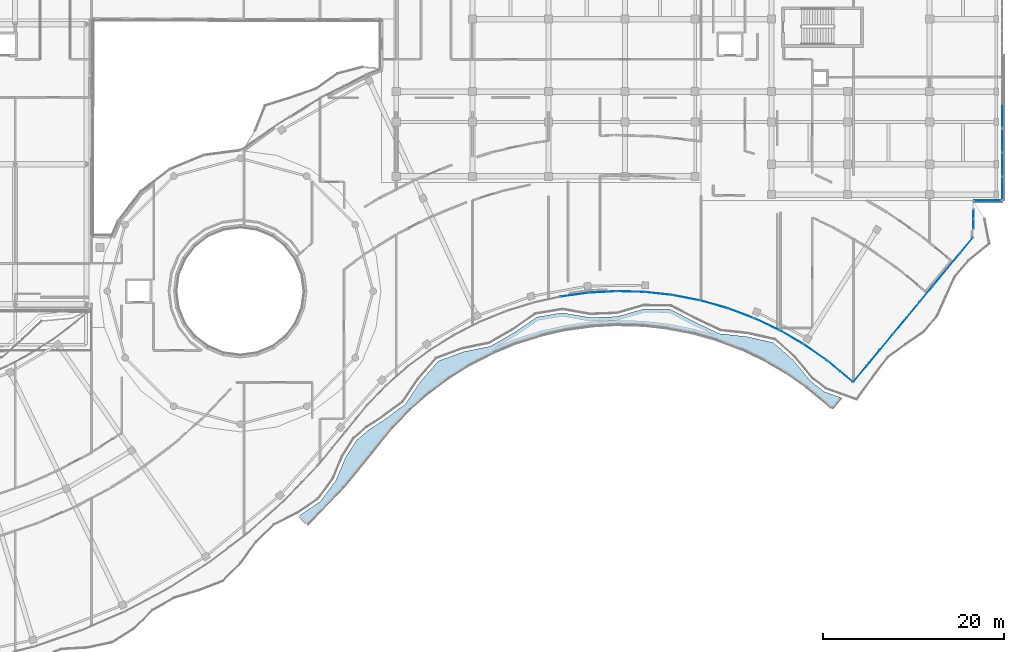
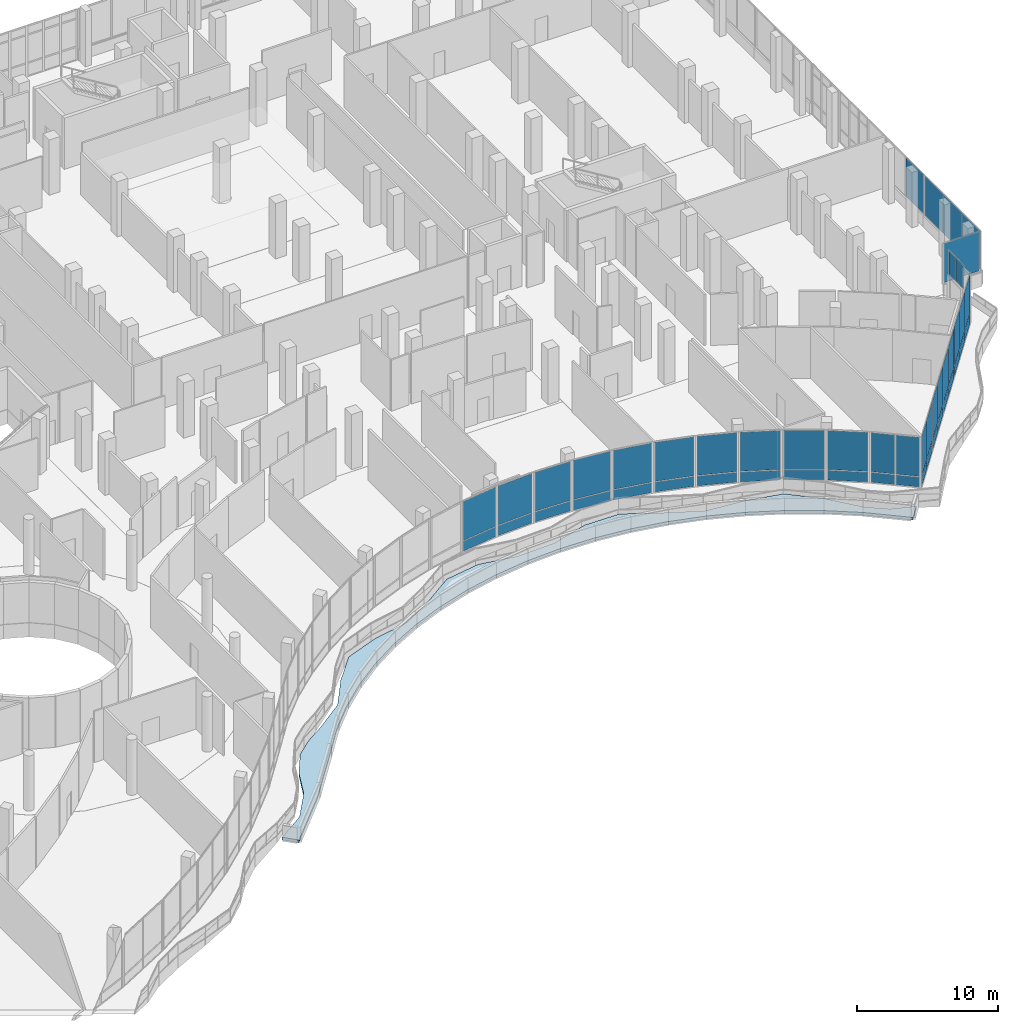
# One storey, part 136 of 168: 49 plates, 1 slab, 18 elements without a shape of their own.
"""IFC4 building model written with IfcOpenShell, lengths in metres."""

from ifc_helpers import new_model, si_unit, direction, frame, origin, origin_2d, place, context, subcontext, project, spatial, polyline, rectangle, outline, extrude, material, layer, layer_set, type_object, element, aggregate, save


model = new_model("IFC4")

# Units and contexts
model_context = context("Model", 3, precision=1e-05, world=origin(), true_north=direction((0.0, 1.0)))
body_context = subcontext(model_context, "Body", "Model", "MODEL_VIEW")
ifc_project = project(units=[si_unit("LENGTHUNIT", "METRE"), si_unit("AREAUNIT", "SQUARE_METRE"), si_unit("VOLUMEUNIT", "CUBIC_METRE"), si_unit("PLANEANGLEUNIT", "RADIAN"), si_unit("MASSUNIT", "GRAM", prefix="KILO")], contexts=[model_context])

# Site, building, storey
site_placement = place(None, origin())
site = spatial("IfcSite", under=ifc_project, at=site_placement, CompositionType="ELEMENT")
building_placement = place(site_placement, origin())
building = spatial("IfcBuilding", under=site, at=building_placement, Name="Selatvlak General Hospital", CompositionType="ELEMENT")
storey_placement = place(building_placement, frame((0.0, 0.0, 5.39990234375)))
storey = spatial("IfcBuildingStorey", under=building, at=storey_placement, Name="L01", CompositionType="ELEMENT", Elevation=5.39990234375)

# Curtain wall, plate
ifc_material_1 = material(Name="Solar-control Low-E double glazing", Category="glass")
curtain_wall_type_1 = type_object("IfcCurtainWallType", Name="CW-CW-02", PredefinedType="USERDEFINED", material=ifc_material_1)
curtain_wall_1_placement = place(storey_placement, origin())
curtain_wall_1 = element("IfcCurtainWall", 1, at=curtain_wall_1_placement, inside=storey, type_object=curtain_wall_type_1, Name="Glazed facade curtain wall CW-L01-0137", ObjectType="UNITISED CURTAIN WALL", PredefinedType="USERDEFINED")
ifc_layer_1 = layer(ifc_material_1, 0.028076171875, Name="Solar-control Low-E double glazing", Category="glass")
ifc_layer_set_1 = layer_set([ifc_layer_1], Name="Solar-control Low-E double glazing")
plate_type = type_object("IfcPlateType", Name="CWP-01", PredefinedType="CURTAIN_PANEL", material=ifc_layer_set_1)
plate_1_placement = place(storey_placement, frame((182.0, 73.360595703125, 1.005126953125), z_axis=(0.0, 0.0, 1.0), x_axis=(0.0, -1.0, 0.0)))
plate_1 = element("IfcPlate", 2, at=plate_1_placement, type_object=plate_type, Name="CW-02 panel 3.1", PredefinedType="CURTAIN_PANEL", context=body_context, shape_type="SweptSolid", body=[
    extrude(rectangle(XDim=2.55908203125, YDim=0.028076171875, at=origin_2d()), origin(), (0.0, 0.0, 1.0), 3.375),
])
aggregate(curtain_wall_1, [plate_1])

# Curtain wall, plates
curtain_wall_type_2 = type_object("IfcCurtainWallType", Name="CW-CW-01", PredefinedType="USERDEFINED", material=ifc_material_1)
curtain_wall_2_placement = place(storey_placement, origin())
curtain_wall_2 = element("IfcCurtainWall", 3, at=curtain_wall_2_placement, inside=storey, type_object=curtain_wall_type_2, Name="Glazed facade curtain wall CW-L01-0138", ObjectType="UNITISED CURTAIN WALL", PredefinedType="USERDEFINED")
plate_2_placement = place(storey_placement, frame((182.0, 70.599853515625, 1.005126953125), z_axis=(0.0, 0.0, 1.0), x_axis=(0.0, -1.0, 0.0)))
plate_2 = element("IfcPlate", 4, at=plate_2_placement, type_object=plate_type, Name="CW-01 panel 1.1", PredefinedType="CURTAIN_PANEL", context=body_context, shape_type="SweptSolid", body=[
    extrude(rectangle(XDim=2.54248046875, YDim=0.028076171875, at=origin_2d()), origin(), (0.0, 0.0, 1.0), 3.375),
])
plate_3_placement = place(storey_placement, frame((182.0, 67.97607421875, 1.005126953125), z_axis=(0.0, 0.0, 1.0), x_axis=(0.0, -1.0, 0.0)))
plate_3 = element("IfcPlate", 5, at=plate_3_placement, type_object=plate_type, Name="CW-01 panel 2.1", PredefinedType="CURTAIN_PANEL", context=body_context, shape_type="SweptSolid", body=[
    extrude(rectangle(XDim=2.574951171875, YDim=0.028076171875, at=origin_2d()), origin(), (0.0, 0.0, 1.0), 3.375),
])
plate_4_placement = place(storey_placement, frame((182.0, 65.352294921875, 1.005126953125), z_axis=(0.0, 0.0, 1.0), x_axis=(0.0, -1.0, 0.0)))
plate_4 = element("IfcPlate", 6, at=plate_4_placement, type_object=plate_type, Name="CW-01 panel 3.1", PredefinedType="CURTAIN_PANEL", context=body_context, shape_type="SweptSolid", body=[
    extrude(rectangle(XDim=2.54248046875, YDim=0.028076171875, at=origin_2d()), origin(), (0.0, 0.0, 1.0), 3.375),
])
aggregate(curtain_wall_2, [plate_2, plate_3, plate_4])

# Curtain wall, plate
curtain_wall_3_placement = place(storey_placement, origin())
curtain_wall_3 = element("IfcCurtainWall", 7, at=curtain_wall_3_placement, inside=storey, type_object=curtain_wall_type_2, Name="Glazed facade curtain wall CW-L01-0139", ObjectType="UNITISED CURTAIN WALL", PredefinedType="USERDEFINED")
plate_5_placement = place(storey_placement, frame((180.405029296875, 64.00048828125, 1.005126953125), z_axis=(0.0, 0.0, 1.0), x_axis=(-0.999999946602, -0.000326797363, 0.0)))
plate_5 = element("IfcPlate", 8, at=plate_5_placement, type_object=plate_type, Name="CW-01 panel 1.1", PredefinedType="CURTAIN_PANEL", context=body_context, shape_type="SweptSolid", body=[
    extrude(rectangle(XDim=2.929931640625, YDim=0.028076171875, at=origin_2d()), origin(), (0.0, 0.0, 1.0), 3.375),
])
aggregate(curtain_wall_3, [plate_5])

# Curtain wall, plates
curtain_wall_4_placement = place(storey_placement, origin())
curtain_wall_4 = element("IfcCurtainWall", 9, at=curtain_wall_4_placement, inside=storey, type_object=curtain_wall_type_1, Name="Glazed facade curtain wall CW-L01-0140", ObjectType="UNITISED CURTAIN WALL", PredefinedType="USERDEFINED")
plate_6_placement = place(storey_placement, frame((178.838134765625, 62.5263671875, 2.385009765625), z_axis=(0.0, 0.0, 1.0), x_axis=(-0.014976293782, -0.999887849023, 0.0)))
plate_6 = element("IfcPlate", 10, at=plate_6_placement, type_object=plate_type, Name="CW-02 panel 1.1", PredefinedType="CURTAIN_PANEL", context=body_context, shape_type="SweptSolid", body=[
    extrude(rectangle(XDim=1.03759765625, YDim=0.028076171875, at=origin_2d()), origin(), (0.0, 0.0, 1.0), 1.9951171875),
])
plate_7_placement = place(storey_placement, frame((178.82177734375, 61.423828125, 2.385009765625), z_axis=(0.0, 0.0, 1.0), x_axis=(-0.014976293782, -0.999887849023, 0.0)))
plate_7 = element("IfcPlate", 11, at=plate_7_placement, type_object=plate_type, Name="CW-02 panel 2.1", PredefinedType="CURTAIN_PANEL", context=body_context, shape_type="SweptSolid", body=[
    extrude(rectangle(XDim=1.03759765625, YDim=0.028076171875, at=origin_2d()), origin(), (0.0, 0.0, 1.0), 1.9951171875),
])
aggregate(curtain_wall_4, [plate_6, plate_7])

curtain_wall_5_placement = place(storey_placement, origin())
curtain_wall_5 = element("IfcCurtainWall", 12, at=curtain_wall_5_placement, inside=storey, type_object=curtain_wall_type_2, Name="Glazed facade curtain wall CW-L01-0141", ObjectType="UNITISED CURTAIN WALL", PredefinedType="USERDEFINED")
plate_8_placement = place(storey_placement, frame((178.047607421875, 59.041259765625, 0.065185546875), z_axis=(0.0, 0.0, 1.0), x_axis=(-0.637710339549, -0.770276263968, 0.0)))
plate_8 = element("IfcPlate", 13, at=plate_8_placement, type_object=plate_type, Name="CW-01 panel 1.1", PredefinedType="CURTAIN_PANEL", context=body_context, shape_type="SweptSolid", body=[
    extrude(rectangle(XDim=2.1982421875, YDim=0.028076171875, at=origin_2d()), origin(), (0.0, 0.0, 1.0), 0.8525390625),
])
plate_9_placement = place(storey_placement, frame((178.047607421875, 59.041259765625, 0.982666015625), z_axis=(0.0, 0.0, 1.0), x_axis=(-0.637710339549, -0.770276263968, 0.0)))
plate_9 = element("IfcPlate", 14, at=plate_9_placement, type_object=plate_type, Name="CW-01 panel 1.2", PredefinedType="CURTAIN_PANEL", context=body_context, shape_type="SweptSolid", body=[
    extrude(rectangle(XDim=2.1982421875, YDim=0.028076171875, at=origin_2d()), origin(), (0.0, 0.0, 1.0), 3.3974609375),
])
plate_10_placement = place(storey_placement, frame((176.593994140625, 57.285400390625, 0.065185546875), z_axis=(0.0, 0.0, 1.0), x_axis=(-0.637710339549, -0.770276263968, 0.0)))
plate_10 = element("IfcPlate", 15, at=plate_10_placement, type_object=plate_type, Name="CW-01 panel 2.1", PredefinedType="CURTAIN_PANEL", context=body_context, shape_type="SweptSolid", body=[
    extrude(rectangle(XDim=2.230712890625, YDim=0.028076171875, at=origin_2d()), origin(), (0.0, 0.0, 1.0), 0.8525390625),
])
plate_11_placement = place(storey_placement, frame((176.593994140625, 57.285400390625, 0.982666015625), z_axis=(0.0, 0.0, 1.0), x_axis=(-0.637710339549, -0.770276263968, 0.0)))
plate_11 = element("IfcPlate", 16, at=plate_11_placement, type_object=plate_type, Name="CW-01 panel 2.2", PredefinedType="CURTAIN_PANEL", context=body_context, shape_type="SweptSolid", body=[
    extrude(rectangle(XDim=2.230712890625, YDim=0.028076171875, at=origin_2d()), origin(), (0.0, 0.0, 1.0), 3.3974609375),
])
plate_12_placement = place(storey_placement, frame((175.140380859375, 55.52978515625, 0.065185546875), z_axis=(0.0, 0.0, 1.0), x_axis=(-0.637710339549, -0.770276263968, 0.0)))
plate_12 = element("IfcPlate", 17, at=plate_12_placement, type_object=plate_type, Name="CW-01 panel 3.1", PredefinedType="CURTAIN_PANEL", context=body_context, shape_type="SweptSolid", body=[
    extrude(rectangle(XDim=2.1982421875, YDim=0.028076171875, at=origin_2d()), origin(), (0.0, 0.0, 1.0), 0.8525390625),
])
plate_13_placement = place(storey_placement, frame((175.140380859375, 55.52978515625, 0.982666015625), z_axis=(0.0, 0.0, 1.0), x_axis=(-0.637710339549, -0.770276263968, 0.0)))
plate_13 = element("IfcPlate", 18, at=plate_13_placement, type_object=plate_type, Name="CW-01 panel 3.2", PredefinedType="CURTAIN_PANEL", context=body_context, shape_type="SweptSolid", body=[
    extrude(rectangle(XDim=2.1982421875, YDim=0.028076171875, at=origin_2d()), origin(), (0.0, 0.0, 1.0), 3.3974609375),
])
aggregate(curtain_wall_5, [plate_8, plate_9, plate_10, plate_11, plate_12, plate_13])

curtain_wall_6_placement = place(storey_placement, origin())
curtain_wall_6 = element("IfcCurtainWall", 19, at=curtain_wall_6_placement, inside=storey, type_object=curtain_wall_type_1, Name="Glazed facade curtain wall CW-L01-0142", ObjectType="UNITISED CURTAIN WALL", PredefinedType="USERDEFINED")
plate_14_placement = place(storey_placement, frame((173.60888671875, 53.679931640625, 0.065185546875), z_axis=(0.0, 0.0, 1.0), x_axis=(-0.637822104712, -0.770183720122, 0.0)))
plate_14 = element("IfcPlate", 20, at=plate_14_placement, type_object=plate_type, Name="CW-02 panel 1.1", PredefinedType="CURTAIN_PANEL", context=body_context, shape_type="SweptSolid", body=[
    extrude(rectangle(XDim=2.181640625, YDim=0.028076171875, at=origin_2d()), origin(), (0.0, 0.0, 1.0), 0.8525390625),
])
plate_15_placement = place(storey_placement, frame((173.60888671875, 53.679931640625, 0.982666015625), z_axis=(0.0, 0.0, 1.0), x_axis=(-0.637822104712, -0.770183720122, 0.0)))
plate_15 = element("IfcPlate", 21, at=plate_15_placement, type_object=plate_type, Name="CW-02 panel 1.2", PredefinedType="CURTAIN_PANEL", context=body_context, shape_type="SweptSolid", body=[
    extrude(rectangle(XDim=2.181640625, YDim=0.028076171875, at=origin_2d()), origin(), (0.0, 0.0, 1.0), 3.3974609375),
])
plate_16_placement = place(storey_placement, frame((172.16552734375, 51.93701171875, 0.065185546875), z_axis=(0.0, 0.0, 1.0), x_axis=(-0.637822104712, -0.770183720122, 0.0)))
plate_16 = element("IfcPlate", 22, at=plate_16_placement, type_object=plate_type, Name="CW-02 panel 2.1", PredefinedType="CURTAIN_PANEL", context=body_context, shape_type="SweptSolid", body=[
    extrude(rectangle(XDim=2.214111328125, YDim=0.028076171875, at=origin_2d()), origin(), (0.0, 0.0, 1.0), 0.8525390625),
])
plate_17_placement = place(storey_placement, frame((172.16552734375, 51.93701171875, 0.982666015625), z_axis=(0.0, 0.0, 1.0), x_axis=(-0.637822104712, -0.770183720122, 0.0)))
plate_17 = element("IfcPlate", 23, at=plate_17_placement, type_object=plate_type, Name="CW-02 panel 2.2", PredefinedType="CURTAIN_PANEL", context=body_context, shape_type="SweptSolid", body=[
    extrude(rectangle(XDim=2.214111328125, YDim=0.028076171875, at=origin_2d()), origin(), (0.0, 0.0, 1.0), 3.3974609375),
])
plate_18_placement = place(storey_placement, frame((170.72216796875, 50.194091796875, 0.065185546875), z_axis=(0.0, 0.0, 1.0), x_axis=(-0.637822104712, -0.770183720122, 0.0)))
plate_18 = element("IfcPlate", 24, at=plate_18_placement, type_object=plate_type, Name="CW-02 panel 3.1", PredefinedType="CURTAIN_PANEL", context=body_context, shape_type="SweptSolid", body=[
    extrude(rectangle(XDim=2.181640625, YDim=0.028076171875, at=origin_2d()), origin(), (0.0, 0.0, 1.0), 0.8525390625),
])
plate_19_placement = place(storey_placement, frame((170.72216796875, 50.194091796875, 0.982666015625), z_axis=(0.0, 0.0, 1.0), x_axis=(-0.637822104712, -0.770183720122, 0.0)))
plate_19 = element("IfcPlate", 25, at=plate_19_placement, type_object=plate_type, Name="CW-02 panel 3.2", PredefinedType="CURTAIN_PANEL", context=body_context, shape_type="SweptSolid", body=[
    extrude(rectangle(XDim=2.181640625, YDim=0.028076171875, at=origin_2d()), origin(), (0.0, 0.0, 1.0), 3.3974609375),
])
aggregate(curtain_wall_6, [plate_14, plate_15, plate_16, plate_17, plate_18, plate_19])

curtain_wall_7_placement = place(storey_placement, origin())
curtain_wall_7 = element("IfcCurtainWall", 26, at=curtain_wall_7_placement, inside=storey, type_object=curtain_wall_type_2, Name="Glazed facade curtain wall CW-L01-0143", ObjectType="UNITISED CURTAIN WALL", PredefinedType="USERDEFINED")
plate_20_placement = place(storey_placement, frame((169.196044921875, 48.350830078125, 0.065185546875), z_axis=(0.0, 0.0, 1.0), x_axis=(-0.637735336049, -0.770255568727, 0.0)))
plate_20 = element("IfcPlate", 27, at=plate_20_placement, type_object=plate_type, Name="CW-01 panel 1.1", PredefinedType="CURTAIN_PANEL", context=body_context, shape_type="SweptSolid", body=[
    extrude(rectangle(XDim=2.181396484375, YDim=0.028076171875, at=origin_2d()), origin(), (0.0, 0.0, 1.0), 0.8525390625),
])
plate_21_placement = place(storey_placement, frame((169.196044921875, 48.350830078125, 0.982666015625), z_axis=(0.0, 0.0, 1.0), x_axis=(-0.637735336049, -0.770255568727, 0.0)))
plate_21 = element("IfcPlate", 28, at=plate_21_placement, type_object=plate_type, Name="CW-01 panel 1.2", PredefinedType="CURTAIN_PANEL", context=body_context, shape_type="SweptSolid", body=[
    extrude(rectangle(XDim=2.181396484375, YDim=0.028076171875, at=origin_2d()), origin(), (0.0, 0.0, 1.0), 3.3974609375),
])
plate_22_placement = place(storey_placement, frame((167.7529296875, 46.60791015625, 0.065185546875), z_axis=(0.0, 0.0, 1.0), x_axis=(-0.637735336049, -0.770255568727, 0.0)))
plate_22 = element("IfcPlate", 29, at=plate_22_placement, type_object=plate_type, Name="CW-01 panel 2.1", PredefinedType="CURTAIN_PANEL", context=body_context, shape_type="SweptSolid", body=[
    extrude(rectangle(XDim=2.2138671875, YDim=0.028076171875, at=origin_2d()), origin(), (0.0, 0.0, 1.0), 0.8525390625),
])
plate_23_placement = place(storey_placement, frame((167.7529296875, 46.60791015625, 0.982666015625), z_axis=(0.0, 0.0, 1.0), x_axis=(-0.637735336049, -0.770255568727, 0.0)))
plate_23 = element("IfcPlate", 30, at=plate_23_placement, type_object=plate_type, Name="CW-01 panel 2.2", PredefinedType="CURTAIN_PANEL", context=body_context, shape_type="SweptSolid", body=[
    extrude(rectangle(XDim=2.2138671875, YDim=0.028076171875, at=origin_2d()), origin(), (0.0, 0.0, 1.0), 3.3974609375),
])
plate_24_placement = place(storey_placement, frame((166.31005859375, 44.865234375, 0.065185546875), z_axis=(0.0, 0.0, 1.0), x_axis=(-0.637735336049, -0.770255568727, 0.0)))
plate_24 = element("IfcPlate", 31, at=plate_24_placement, type_object=plate_type, Name="CW-01 panel 3.1", PredefinedType="CURTAIN_PANEL", context=body_context, shape_type="SweptSolid", body=[
    extrude(rectangle(XDim=2.181396484375, YDim=0.028076171875, at=origin_2d()), origin(), (0.0, 0.0, 1.0), 0.8525390625),
])
plate_25_placement = place(storey_placement, frame((166.31005859375, 44.865234375, 0.982666015625), z_axis=(0.0, 0.0, 1.0), x_axis=(-0.637735336049, -0.770255568727, 0.0)))
plate_25 = element("IfcPlate", 32, at=plate_25_placement, type_object=plate_type, Name="CW-01 panel 3.2", PredefinedType="CURTAIN_PANEL", context=body_context, shape_type="SweptSolid", body=[
    extrude(rectangle(XDim=2.181396484375, YDim=0.028076171875, at=origin_2d()), origin(), (0.0, 0.0, 1.0), 3.3974609375),
])
aggregate(curtain_wall_7, [plate_20, plate_21, plate_22, plate_23, plate_24, plate_25])

curtain_wall_8_placement = place(storey_placement, origin())
curtain_wall_8 = element("IfcCurtainWall", 33, at=curtain_wall_8_placement, inside=storey, type_object=curtain_wall_type_1, Name="Glazed facade curtain wall CW-L01-0144", ObjectType="UNITISED CURTAIN WALL", PredefinedType="USERDEFINED")
plate_26_placement = place(storey_placement, frame((164.799560546875, 44.599365234375, 0.065185546875), z_axis=(0.0, 0.0, 1.0), x_axis=(-0.768311109864, 0.640076587964, 0.0)))
plate_26 = element("IfcPlate", 34, at=plate_26_placement, type_object=plate_type, Name="CW-02 panel 1.1", PredefinedType="CURTAIN_PANEL", context=body_context, shape_type="SweptSolid", body=[
    extrude(rectangle(XDim=1.727294921875, YDim=0.028076171875, at=origin_2d()), origin(), (0.0, 0.0, 1.0), 0.8525390625),
])
plate_27_placement = place(storey_placement, frame((164.799560546875, 44.599365234375, 0.982666015625), z_axis=(0.0, 0.0, 1.0), x_axis=(-0.768311109864, 0.640076587964, 0.0)))
plate_27 = element("IfcPlate", 35, at=plate_27_placement, type_object=plate_type, Name="CW-02 panel 1.2", PredefinedType="CURTAIN_PANEL", context=body_context, shape_type="SweptSolid", body=[
    extrude(rectangle(XDim=1.727294921875, YDim=0.028076171875, at=origin_2d()), origin(), (0.0, 0.0, 1.0), 3.3974609375),
])
plate_28_placement = place(storey_placement, frame((163.42236328125, 45.74658203125, 0.065185546875), z_axis=(0.0, 0.0, 1.0), x_axis=(-0.768311109864, 0.640076587964, 0.0)))
plate_28 = element("IfcPlate", 36, at=plate_28_placement, type_object=plate_type, Name="CW-02 panel 2.1", PredefinedType="CURTAIN_PANEL", context=body_context, shape_type="SweptSolid", body=[
    extrude(rectangle(XDim=1.727294921875, YDim=0.028076171875, at=origin_2d()), origin(), (0.0, 0.0, 1.0), 0.8525390625),
])
plate_29_placement = place(storey_placement, frame((163.42236328125, 45.74658203125, 0.982666015625), z_axis=(0.0, 0.0, 1.0), x_axis=(-0.768311109864, 0.640076587964, 0.0)))
plate_29 = element("IfcPlate", 37, at=plate_29_placement, type_object=plate_type, Name="CW-02 panel 2.2", PredefinedType="CURTAIN_PANEL", context=body_context, shape_type="SweptSolid", body=[
    extrude(rectangle(XDim=1.727294921875, YDim=0.028076171875, at=origin_2d()), origin(), (0.0, 0.0, 1.0), 3.3974609375),
])
aggregate(curtain_wall_8, [plate_26, plate_27, plate_28, plate_29])

curtain_wall_9_placement = place(storey_placement, origin())
curtain_wall_9 = element("IfcCurtainWall", 38, at=curtain_wall_9_placement, inside=storey, type_object=curtain_wall_type_2, Name="Glazed facade curtain wall CW-L01-0145", ObjectType="UNITISED CURTAIN WALL", PredefinedType="USERDEFINED")
plate_30_placement = place(storey_placement, frame((161.39990234375, 47.2548828125, 0.065185546875), z_axis=(0.0, 0.0, 1.0), x_axis=(-0.82071690008, 0.571335076749, 0.0)))
plate_30 = element("IfcPlate", 39, at=plate_30_placement, type_object=plate_type, Name="CW-01 panel 1.1", PredefinedType="CURTAIN_PANEL", context=body_context, shape_type="SweptSolid", body=[
    extrude(rectangle(XDim=2.901611328125, YDim=0.028076171875, at=origin_2d()), origin(), (0.0, 0.0, 1.0), 0.8525390625),
])
plate_31_placement = place(storey_placement, frame((161.39990234375, 47.2548828125, 0.982666015625), z_axis=(0.0, 0.0, 1.0), x_axis=(-0.82071690008, 0.571335076749, 0.0)))
plate_31 = element("IfcPlate", 40, at=plate_31_placement, type_object=plate_type, Name="CW-01 panel 1.2", PredefinedType="CURTAIN_PANEL", context=body_context, shape_type="SweptSolid", body=[
    extrude(rectangle(XDim=2.901611328125, YDim=0.028076171875, at=origin_2d()), origin(), (0.0, 0.0, 1.0), 3.3974609375),
])
aggregate(curtain_wall_9, [plate_30, plate_31])

curtain_wall_10_placement = place(storey_placement, origin())
curtain_wall_10 = element("IfcCurtainWall", 41, at=curtain_wall_10_placement, inside=storey, type_object=curtain_wall_type_1, Name="Glazed facade curtain wall CW-L01-0146", ObjectType="UNITISED CURTAIN WALL", PredefinedType="USERDEFINED")
plate_32_placement = place(storey_placement, frame((158.77587890625, 48.923583984375, 0.065185546875), z_axis=(0.0, 0.0, 1.0), x_axis=(-0.865162807212, 0.501491093657, 0.0)))
plate_32 = element("IfcPlate", 42, at=plate_32_placement, type_object=plate_type, Name="CW-02 panel 1.1", PredefinedType="CURTAIN_PANEL", context=body_context, shape_type="SweptSolid", body=[
    extrude(rectangle(XDim=2.903076171875, YDim=0.028076171875, at=origin_2d()), origin(), (0.0, 0.0, 1.0), 0.8525390625),
])
plate_33_placement = place(storey_placement, frame((158.77587890625, 48.923583984375, 0.982666015625), z_axis=(0.0, 0.0, 1.0), x_axis=(-0.865162807212, 0.501491093657, 0.0)))
plate_33 = element("IfcPlate", 43, at=plate_33_placement, type_object=plate_type, Name="CW-02 panel 1.2", PredefinedType="CURTAIN_PANEL", context=body_context, shape_type="SweptSolid", body=[
    extrude(rectangle(XDim=2.903076171875, YDim=0.028076171875, at=origin_2d()), origin(), (0.0, 0.0, 1.0), 3.3974609375),
])
aggregate(curtain_wall_10, [plate_32, plate_33])

curtain_wall_11_placement = place(storey_placement, origin())
curtain_wall_11 = element("IfcCurtainWall", 44, at=curtain_wall_11_placement, inside=storey, type_object=curtain_wall_type_2, Name="Glazed facade curtain wall CW-L01-0147", ObjectType="UNITISED CURTAIN WALL", PredefinedType="USERDEFINED")
plate_34_placement = place(storey_placement, frame((156.021484375, 50.368896484375, 0.065185546875), z_axis=(0.0, 0.0, 1.0), x_axis=(-0.903529659343, 0.428525558966, 0.0)))
plate_34 = element("IfcPlate", 45, at=plate_34_placement, type_object=plate_type, Name="CW-01 panel 1.1", PredefinedType="CURTAIN_PANEL", context=body_context, shape_type="SweptSolid", body=[
    extrude(rectangle(XDim=2.903564453125, YDim=0.028076171875, at=origin_2d()), origin(), (0.0, 0.0, 1.0), 0.8525390625),
])
plate_35_placement = place(storey_placement, frame((156.021484375, 50.368896484375, 0.982666015625), z_axis=(0.0, 0.0, 1.0), x_axis=(-0.903529659343, 0.428525558966, 0.0)))
plate_35 = element("IfcPlate", 46, at=plate_35_placement, type_object=plate_type, Name="CW-01 panel 1.2", PredefinedType="CURTAIN_PANEL", context=body_context, shape_type="SweptSolid", body=[
    extrude(rectangle(XDim=2.903564453125, YDim=0.028076171875, at=origin_2d()), origin(), (0.0, 0.0, 1.0), 3.3974609375),
])
aggregate(curtain_wall_11, [plate_34, plate_35])

curtain_wall_12_placement = place(storey_placement, origin())
curtain_wall_12 = element("IfcCurtainWall", 47, at=curtain_wall_12_placement, inside=storey, type_object=curtain_wall_type_1, Name="Glazed facade curtain wall CW-L01-0148", ObjectType="UNITISED CURTAIN WALL", PredefinedType="USERDEFINED")
plate_36_placement = place(storey_placement, frame((153.157470703125, 51.58154296875, 0.065185546875), z_axis=(0.0, 0.0, 1.0), x_axis=(-0.935989779927, 0.352027174905, 0.0)))
plate_36 = element("IfcPlate", 48, at=plate_36_placement, type_object=plate_type, Name="CW-02 panel 1.1", PredefinedType="CURTAIN_PANEL", context=body_context, shape_type="SweptSolid", body=[
    extrude(rectangle(XDim=2.901123046875, YDim=0.028076171875, at=origin_2d()), origin(), (0.0, 0.0, 1.0), 0.8525390625),
])
plate_37_placement = place(storey_placement, frame((153.157470703125, 51.58154296875, 0.982666015625), z_axis=(0.0, 0.0, 1.0), x_axis=(-0.935989779927, 0.352027174905, 0.0)))
plate_37 = element("IfcPlate", 49, at=plate_37_placement, type_object=plate_type, Name="CW-02 panel 1.2", PredefinedType="CURTAIN_PANEL", context=body_context, shape_type="SweptSolid", body=[
    extrude(rectangle(XDim=2.901123046875, YDim=0.028076171875, at=origin_2d()), origin(), (0.0, 0.0, 1.0), 3.3974609375),
])
aggregate(curtain_wall_12, [plate_36, plate_37])

curtain_wall_13_placement = place(storey_placement, origin())
curtain_wall_13 = element("IfcCurtainWall", 50, at=curtain_wall_13_placement, inside=storey, type_object=curtain_wall_type_2, Name="Glazed facade curtain wall CW-L01-0149", ObjectType="UNITISED CURTAIN WALL", PredefinedType="USERDEFINED")
plate_38_placement = place(storey_placement, frame((150.205078125, 52.551513671875, 0.065185546875), z_axis=(0.0, 0.0, 1.0), x_axis=(-0.962057469853, 0.272846888748, 0.0)))
plate_38 = element("IfcPlate", 51, at=plate_38_placement, type_object=plate_type, Name="CW-01 panel 1.1", PredefinedType="CURTAIN_PANEL", context=body_context, shape_type="SweptSolid", body=[
    extrude(rectangle(XDim=2.901123046875, YDim=0.028076171875, at=origin_2d()), origin(), (0.0, 0.0, 1.0), 0.8525390625),
])
plate_39_placement = place(storey_placement, frame((150.205078125, 52.551513671875, 0.982666015625), z_axis=(0.0, 0.0, 1.0), x_axis=(-0.962057469853, 0.272846888748, 0.0)))
plate_39 = element("IfcPlate", 52, at=plate_39_placement, type_object=plate_type, Name="CW-01 panel 1.2", PredefinedType="CURTAIN_PANEL", context=body_context, shape_type="SweptSolid", body=[
    extrude(rectangle(XDim=2.901123046875, YDim=0.028076171875, at=origin_2d()), origin(), (0.0, 0.0, 1.0), 3.3974609375),
])
aggregate(curtain_wall_13, [plate_38, plate_39])

curtain_wall_14_placement = place(storey_placement, origin())
curtain_wall_14 = element("IfcCurtainWall", 53, at=curtain_wall_14_placement, inside=storey, type_object=curtain_wall_type_1, Name="Glazed facade curtain wall CW-L01-0150", ObjectType="UNITISED CURTAIN WALL", PredefinedType="USERDEFINED")
plate_40_placement = place(storey_placement, frame((147.180908203125, 53.2734375, 0.065185546875), z_axis=(0.0, 0.0, 1.0), x_axis=(-0.981346698428, 0.192246345827, 0.0)))
plate_40 = element("IfcPlate", 54, at=plate_40_placement, type_object=plate_type, Name="CW-02 panel 1.1", PredefinedType="CURTAIN_PANEL", context=body_context, shape_type="SweptSolid", body=[
    extrude(rectangle(XDim=2.902587890625, YDim=0.028076171875, at=origin_2d()), origin(), (0.0, 0.0, 1.0), 0.8525390625),
])
plate_41_placement = place(storey_placement, frame((147.180908203125, 53.2734375, 0.982666015625), z_axis=(0.0, 0.0, 1.0), x_axis=(-0.981346698428, 0.192246345827, 0.0)))
plate_41 = element("IfcPlate", 55, at=plate_41_placement, type_object=plate_type, Name="CW-02 panel 1.2", PredefinedType="CURTAIN_PANEL", context=body_context, shape_type="SweptSolid", body=[
    extrude(rectangle(XDim=2.902587890625, YDim=0.028076171875, at=origin_2d()), origin(), (0.0, 0.0, 1.0), 3.3974609375),
])
aggregate(curtain_wall_14, [plate_40, plate_41])

curtain_wall_15_placement = place(storey_placement, origin())
curtain_wall_15 = element("IfcCurtainWall", 56, at=curtain_wall_15_placement, inside=storey, type_object=curtain_wall_type_2, Name="Glazed facade curtain wall CW-L01-0151", ObjectType="UNITISED CURTAIN WALL", PredefinedType="USERDEFINED")
plate_42_placement = place(storey_placement, frame((144.10546875, 53.742431640625, 0.065185546875), z_axis=(0.0, 0.0, 1.0), x_axis=(-0.993955887919, 0.109780202548, 0.0)))
plate_42 = element("IfcPlate", 57, at=plate_42_placement, type_object=plate_type, Name="CW-01 panel 1.1", PredefinedType="CURTAIN_PANEL", context=body_context, shape_type="SweptSolid", body=[
    extrude(rectangle(XDim=2.9033203125, YDim=0.028076171875, at=origin_2d()), origin(), (0.0, 0.0, 1.0), 0.8525390625),
])
plate_43_placement = place(storey_placement, frame((144.10546875, 53.742431640625, 0.982666015625), z_axis=(0.0, 0.0, 1.0), x_axis=(-0.993955887919, 0.109780202548, 0.0)))
plate_43 = element("IfcPlate", 58, at=plate_43_placement, type_object=plate_type, Name="CW-01 panel 1.2", PredefinedType="CURTAIN_PANEL", context=body_context, shape_type="SweptSolid", body=[
    extrude(rectangle(XDim=2.9033203125, YDim=0.028076171875, at=origin_2d()), origin(), (0.0, 0.0, 1.0), 3.3974609375),
])
aggregate(curtain_wall_15, [plate_42, plate_43])

curtain_wall_16_placement = place(storey_placement, origin())
curtain_wall_16 = element("IfcCurtainWall", 59, at=curtain_wall_16_placement, inside=storey, type_object=curtain_wall_type_1, Name="Glazed facade curtain wall CW-L01-0152", ObjectType="UNITISED CURTAIN WALL", PredefinedType="USERDEFINED")
plate_44_placement = place(storey_placement, frame((141.001953125, 53.9541015625, 0.065185546875), z_axis=(0.0, 0.0, 1.0), x_axis=(-0.999616451519, 0.027693859483, 0.0)))
plate_44 = element("IfcPlate", 60, at=plate_44_placement, type_object=plate_type, Name="CW-02 panel 1.1", PredefinedType="CURTAIN_PANEL", context=body_context, shape_type="SweptSolid", body=[
    extrude(rectangle(XDim=2.903076171875, YDim=0.028076171875, at=origin_2d()), origin(), (0.0, 0.0, 1.0), 0.8525390625),
])
plate_45_placement = place(storey_placement, frame((141.001953125, 53.9541015625, 0.982666015625), z_axis=(0.0, 0.0, 1.0), x_axis=(-0.999616451519, 0.027693859483, 0.0)))
plate_45 = element("IfcPlate", 61, at=plate_45_placement, type_object=plate_type, Name="CW-02 panel 1.2", PredefinedType="CURTAIN_PANEL", context=body_context, shape_type="SweptSolid", body=[
    extrude(rectangle(XDim=2.903076171875, YDim=0.028076171875, at=origin_2d()), origin(), (0.0, 0.0, 1.0), 3.3974609375),
])
aggregate(curtain_wall_16, [plate_44, plate_45])

curtain_wall_17_placement = place(storey_placement, origin())
curtain_wall_17 = element("IfcCurtainWall", 62, at=curtain_wall_17_placement, inside=storey, type_object=curtain_wall_type_2, Name="Glazed facade curtain wall CW-L01-0153", ObjectType="UNITISED CURTAIN WALL", PredefinedType="USERDEFINED")
plate_46_placement = place(storey_placement, frame((137.89453125, 53.908447265625, 0.065185546875), z_axis=(0.0, 0.0, 1.0), x_axis=(-0.998477581672, -0.055159032792, 0.0)))
plate_46 = element("IfcPlate", 63, at=plate_46_placement, type_object=plate_type, Name="CW-01 panel 1.1", PredefinedType="CURTAIN_PANEL", context=body_context, shape_type="SweptSolid", body=[
    extrude(rectangle(XDim=2.897705078125, YDim=0.028076171875, at=origin_2d()), origin(), (0.0, 0.0, 1.0), 0.8525390625),
])
plate_47_placement = place(storey_placement, frame((137.89453125, 53.908447265625, 0.982666015625), z_axis=(0.0, 0.0, 1.0), x_axis=(-0.998477581672, -0.055159032792, 0.0)))
plate_47 = element("IfcPlate", 64, at=plate_47_placement, type_object=plate_type, Name="CW-01 panel 1.2", PredefinedType="CURTAIN_PANEL", context=body_context, shape_type="SweptSolid", body=[
    extrude(rectangle(XDim=2.897705078125, YDim=0.028076171875, at=origin_2d()), origin(), (0.0, 0.0, 1.0), 3.3974609375),
])
aggregate(curtain_wall_17, [plate_46, plate_47])

curtain_wall_18_placement = place(storey_placement, origin())
curtain_wall_18 = element("IfcCurtainWall", 65, at=curtain_wall_18_placement, inside=storey, type_object=curtain_wall_type_1, Name="Glazed facade curtain wall CW-L01-0154", ObjectType="UNITISED CURTAIN WALL", PredefinedType="USERDEFINED")
plate_48_placement = place(storey_placement, frame((134.800537109375, 53.60498046875, 0.065185546875), z_axis=(0.0, 0.0, 1.0), x_axis=(-0.990373398315, -0.138421573138, 0.0)))
plate_48 = element("IfcPlate", 66, at=plate_48_placement, type_object=plate_type, Name="CW-02 panel 1.1", PredefinedType="CURTAIN_PANEL", context=body_context, shape_type="SweptSolid", body=[
    extrude(rectangle(XDim=2.904296875, YDim=0.028076171875, at=origin_2d()), origin(), (0.0, 0.0, 1.0), 0.8525390625),
])
plate_49_placement = place(storey_placement, frame((134.800537109375, 53.60498046875, 0.982666015625), z_axis=(0.0, 0.0, 1.0), x_axis=(-0.990373398315, -0.138421573138, 0.0)))
plate_49 = element("IfcPlate", 67, at=plate_49_placement, type_object=plate_type, Name="CW-02 panel 1.2", PredefinedType="CURTAIN_PANEL", context=body_context, shape_type="SweptSolid", body=[
    extrude(rectangle(XDim=2.904296875, YDim=0.028076171875, at=origin_2d()), origin(), (0.0, 0.0, 1.0), 3.3974609375),
])
aggregate(curtain_wall_18, [plate_48, plate_49])

# Slab
ifc_material_2 = material(Name="Concrete C40/50", Category="concrete")
ifc_layer_2 = layer(ifc_material_2, 0.239990234375, Name="Concrete C40/50", Category="concrete")
ifc_layer_set_2 = layer_set([ifc_layer_2], Name="Concrete C40/50")
slab_type = type_object("IfcSlabType", Name="SLAB-SL-RF1", PredefinedType="ROOF", material=ifc_layer_set_2)
slab_placement = place(storey_placement, frame((0.0, 0.0, -0.31982421875)))
element("IfcSlab", 68, at=slab_placement, inside=storey, type_object=slab_type, Name="L01 roof slab ROOF-COLONNADE-GARDEN", PredefinedType="ROOF", context=body_context, shape_type="SweptSolid", body=[
    extrude(outline(polyline([(160.51708984375, 43.487060546875), (158.2080078125, 45.093994140625), (155.77294921875, 46.507080078125), (153.22998046875, 47.7119140625), (150.597900390625, 48.700927734375), (147.89306640625, 49.468994140625), (145.131103515625, 50.009033203125), (142.3330078125, 50.319091796875), (139.52001953125, 50.39697265625), (136.714111328125, 50.240966796875), (133.926025390625, 49.85107421875), (131.179931640625, 49.23291015625), (128.4990234375, 48.389892578125), (125.89501953125, 47.325927734375), (123.384033203125, 46.049072265625), (120.992919921875, 44.570068359375), (118.73095703125, 42.89697265625), (116.614990234375, 41.0419921875), (114.659912109375, 39.01806640625), (112.4140625, 36.243896484375), (109.31103515625, 32.4560546875), (105.405029296875, 28.368896484375), (104.5380859375, 29.26708984375), (106.822021484375, 30.81396484375), (106.84912109375, 30.833984375), (106.873046875, 30.85595703125), (106.89599609375, 30.8798828125), (106.9169921875, 30.906005859375), (108.552001953125, 33.1640625), (108.575927734375, 33.201904296875), (108.595947265625, 33.242919921875), (109.56298828125, 35.59912109375), (110.798095703125, 37.548095703125), (112.1708984375, 38.72705078125), (113.702880859375, 39.705078125), (113.72509765625, 39.719970703125), (116.12109375, 41.493896484375), (116.154052734375, 41.52099609375), (116.18310546875, 41.551025390625), (116.208984375, 41.5849609375), (117.89990234375, 44.071044921875), (119.8310546875, 46.29296875), (122.572998046875, 47.31298828125), (125.529052734375, 47.9169921875), (125.569091796875, 47.927001953125), (125.60693359375, 47.94189453125), (125.64306640625, 47.9599609375), (128.19189453125, 49.43603515625), (128.217041015625, 49.451904296875), (130.708984375, 51.159912109375), (133.531982421875, 51.6201171875), (136.529052734375, 51.097900390625), (136.568115234375, 51.093017578125), (136.60791015625, 51.092041015625), (139.51708984375, 51.201904296875), (139.56298828125, 51.20703125), (139.60791015625, 51.217041015625), (142.530029296875, 52.05810546875), (145.39892578125, 52.009033203125), (148.074951171875, 50.6240234375), (150.760009765625, 49.347900390625), (150.799072265625, 49.33203125), (150.840087890625, 49.320068359375), (150.882080078125, 49.31298828125), (153.866943359375, 48.986083984375), (156.74609375, 48.341064453125), (158.947021484375, 46.4169921875), (160.885986328125, 44.076904296875), (160.916015625, 44.0458984375), (160.947998046875, 44.01806640625), (162.322021484375, 42.966064453125), (162.35400390625, 42.944091796875), (162.387939453125, 42.925048828125), (162.424072265625, 42.909912109375), (164.1708984375, 42.281982421875), (163.26611328125, 41.18896484375), (160.51708984375, 43.487060546875)])), origin(), (0.0, 0.0, 1.0), 0.239990234375),
])

save(model, "model.ifc")
